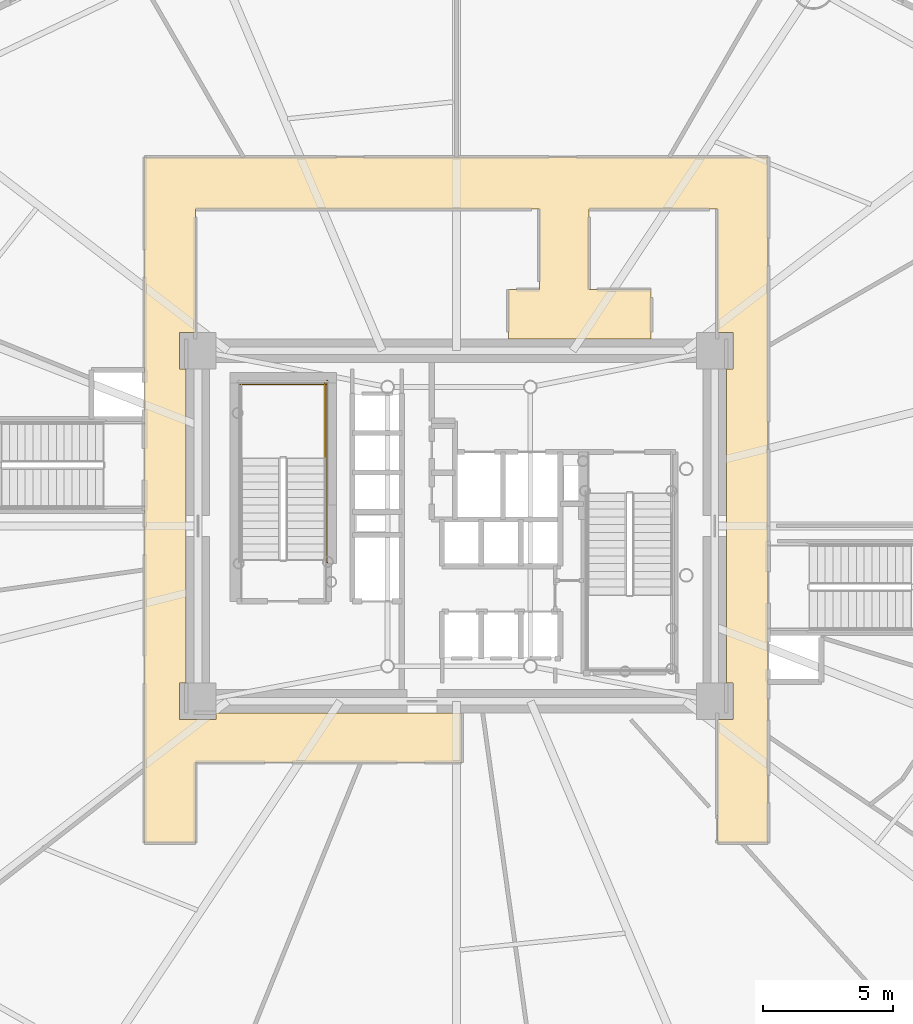
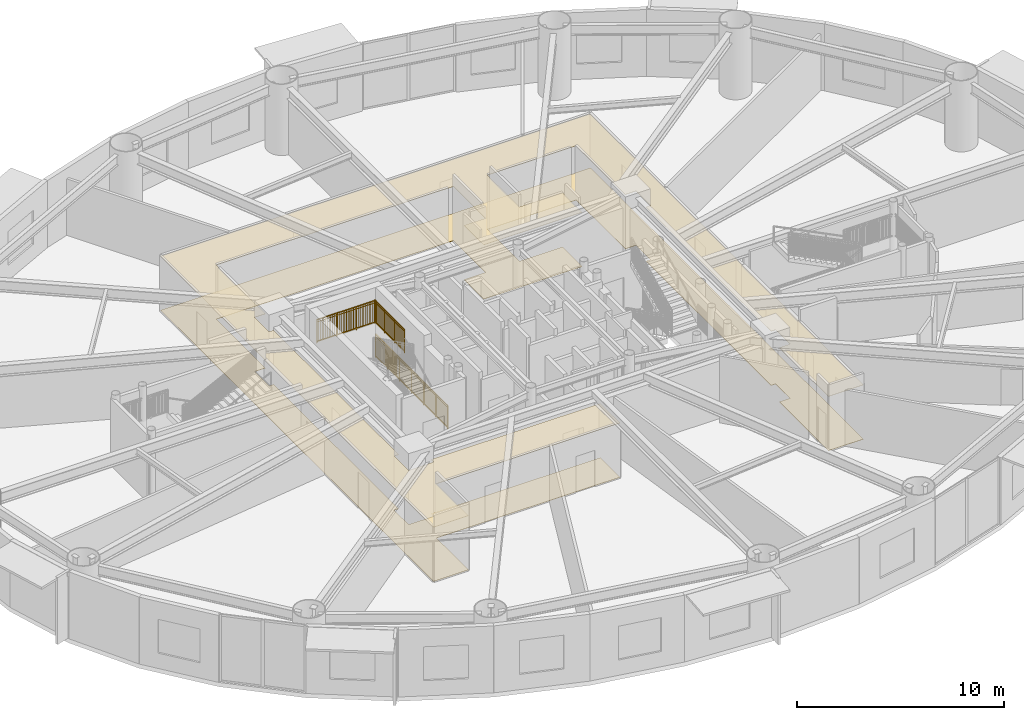
# One storey, part 23 of 29: 3 railings, 2 coverings.
"""IFC4 building model written with IfcOpenShell, lengths in metres."""

from ifc_helpers import new_model, si_unit, direction, frame, origin, origin_2d, place, context, subcontext, project, spatial, polyline, rectangle, outline, extrude, source, transform, mapped, material, layer, layer_set, type_object, element, save


model = new_model("IFC4")

# Units and contexts
model_context = context("Model", 3, precision=1e-05, world=origin(), true_north=direction((0.0, 1.0)))
body_context = subcontext(model_context, "Body", "Model", "MODEL_VIEW")
ifc_project = project(units=[si_unit("LENGTHUNIT", "METRE"), si_unit("AREAUNIT", "SQUARE_METRE"), si_unit("VOLUMEUNIT", "CUBIC_METRE"), si_unit("PLANEANGLEUNIT", "RADIAN"), si_unit("MASSUNIT", "GRAM", prefix="KILO")], contexts=[model_context])

# Site, building, storey
site_placement = place(None, origin())
site = spatial("IfcSite", under=ifc_project, at=site_placement, CompositionType="ELEMENT")
building_placement = place(site_placement, origin())
building = spatial("IfcBuilding", under=site, at=building_placement, Name="Linh Dai School and Residence Tower", CompositionType="ELEMENT")
storey_placement = place(building_placement, frame((0.0, 0.0, 45.0)))
storey = spatial("IfcBuildingStorey", under=building, at=storey_placement, Name="L10", CompositionType="ELEMENT", Elevation=45.0)

# Coverings
ifc_material_1 = material(Name="Mineral Fibre Acoustic Suspended Ceiling", Category="masonry")
ifc_layer_1 = layer(ifc_material_1, 0.02001953125)
ifc_layer_set_1 = layer_set([ifc_layer_1], Name="Mineral Fibre Acoustic Suspended Ceiling")
covering_type_1 = type_object("IfcCoveringType", Name="COV-CEIL-AC-20", PredefinedType="CEILING", material=ifc_layer_set_1)
covering_1_placement = place(storey_placement, frame((0.0, 0.0, 3.199951171875)))
element("IfcCovering", 1, at=covering_1_placement, inside=storey, type_object=covering_type_1, Name="L10 School Circulation Ring Corridor Suspended Ceiling", PredefinedType="CEILING", context=body_context, shape_type="SweptSolid", body=[
    extrude(outline(polyline([(24.0, 41.199951171875), (48.0, 41.199951171875), (48.0, 14.800048828125), (46.050048828125, 14.800048828125), (46.050048828125, 19.550048828125), (46.64990234375, 19.550048828125), (46.64990234375, 20.949951171875), (46.39990234375, 20.949951171875), (46.39990234375, 33.050048828125), (46.64990234375, 33.050048828125), (46.64990234375, 34.449951171875), (46.050048828125, 34.449951171875), (46.050048828125, 39.199951171875), (41.10009765625, 39.199951171875), (41.10009765625, 36.10009765625), (43.5, 36.10009765625), (43.5, 34.199951171875), (38.0, 34.199951171875), (38.0, 36.10009765625), (39.199951171875, 36.10009765625), (39.199951171875, 39.199951171875), (25.949951171875, 39.199951171875), (25.949951171875, 34.449951171875), (25.35009765625, 34.449951171875), (25.35009765625, 33.050048828125), (25.60009765625, 33.050048828125), (25.60009765625, 20.949951171875), (25.35009765625, 20.949951171875), (25.35009765625, 19.550048828125), (26.75, 19.550048828125), (26.75, 19.800048828125), (36.199951171875, 19.800048828125), (36.199951171875, 17.89990234375), (25.949951171875, 17.89990234375), (25.949951171875, 14.800048828125), (24.0, 14.800048828125), (24.0, 41.199951171875)])), origin(), (0.0, 0.0, 1.0), 0.02001953125),
])
ifc_material_2 = material(Name="Polished Terrazzo Floor Finish", Category="masonry")
ifc_layer_2 = layer(ifc_material_2, 0.02490234375)
ifc_layer_set_2 = layer_set([ifc_layer_2], Name="Polished Terrazzo Floor Finish")
covering_type_2 = type_object("IfcCoveringType", Name="COV-FLR-TRZ-25", PredefinedType="FLOORING", material=ifc_layer_set_2)
covering_2_placement = place(storey_placement, origin())
element("IfcCovering", 2, at=covering_2_placement, inside=storey, type_object=covering_type_2, Name="L10 School Circulation Ring Corridor Floor Finish", PredefinedType="FLOORING", context=body_context, shape_type="SweptSolid", body=[
    extrude(outline(polyline([(24.0, 41.199951171875), (48.0, 41.199951171875), (48.0, 14.800048828125), (46.050048828125, 14.800048828125), (46.050048828125, 19.550048828125), (46.64990234375, 19.550048828125), (46.64990234375, 20.949951171875), (46.39990234375, 20.949951171875), (46.39990234375, 33.050048828125), (46.64990234375, 33.050048828125), (46.64990234375, 34.449951171875), (46.050048828125, 34.449951171875), (46.050048828125, 39.199951171875), (41.10009765625, 39.199951171875), (41.10009765625, 36.10009765625), (43.5, 36.10009765625), (43.5, 34.199951171875), (38.0, 34.199951171875), (38.0, 36.10009765625), (39.199951171875, 36.10009765625), (39.199951171875, 39.199951171875), (25.949951171875, 39.199951171875), (25.949951171875, 34.449951171875), (25.35009765625, 34.449951171875), (25.35009765625, 33.050048828125), (25.60009765625, 33.050048828125), (25.60009765625, 20.949951171875), (25.35009765625, 20.949951171875), (25.35009765625, 19.550048828125), (26.75, 19.550048828125), (26.75, 19.800048828125), (36.199951171875, 19.800048828125), (36.199951171875, 17.89990234375), (25.949951171875, 17.89990234375), (25.949951171875, 14.800048828125), (24.0, 14.800048828125), (24.0, 41.199951171875)])), origin(), (0.0, 0.0, 1.0), 0.02001953125),
])

# Railings
ifc_material_3 = material(Name="Structural Steel S355JR", Category="steel")
railing_type = type_object("IfcRailingType", Name="RL-ST-GUARD-1400", PredefinedType="GUARDRAIL", material=ifc_material_3)
shared_shape_1 = source(origin(), body_context, "Body", "SweptSolid", [
    extrude(rectangle(XDim=0.048095703125, YDim=0.048095703125, at=origin_2d()), frame((0.0, 0.0, 1.3759765625), z_axis=(-1.0, 0.0, 0.0), x_axis=(0.0, -1.0, 0.0)), (0.0, 0.0, 1.0), 3.300048828125),
    extrude(rectangle(XDim=0.048095703125, YDim=0.048095703125, at=origin_2d()), frame((0.0, 0.0, 0.10009765625), z_axis=(-1.0, 0.0, 0.0), x_axis=(0.0, -1.0, 0.0)), (0.0, 0.0, 1.0), 3.300048828125),
    extrude(rectangle(XDim=0.030029296875, YDim=0.030029296875, at=origin_2d()), frame((0.0, 0.0, 1.239990234375), z_axis=(-1.0, 0.0, 0.0), x_axis=(0.0, -1.0, 0.0)), (0.0, 0.0, 1.0), 3.300048828125),
    extrude(rectangle(XDim=0.02001953125, YDim=0.02001953125, at=origin_2d()), frame((-0.09716796875, 0.0, 0.10009765625)), (0.0, 0.0, 1.0), 1.251708984375),
    extrude(rectangle(XDim=0.02001953125, YDim=0.02001953125, at=origin_2d()), frame((-0.194091796875, 0.0, 0.10009765625)), (0.0, 0.0, 1.0), 1.251708984375),
    extrude(rectangle(XDim=0.02001953125, YDim=0.02001953125, at=origin_2d()), frame((-0.291259765625, 0.0, 0.10009765625)), (0.0, 0.0, 1.0), 1.251708984375),
    extrude(rectangle(XDim=0.02001953125, YDim=0.02001953125, at=origin_2d()), frame((-0.38818359375, 0.0, 0.10009765625)), (0.0, 0.0, 1.0), 1.251708984375),
    extrude(rectangle(XDim=0.02001953125, YDim=0.02001953125, at=origin_2d()), frame((-0.4853515625, 0.0, 0.10009765625)), (0.0, 0.0, 1.0), 1.251708984375),
    extrude(rectangle(XDim=0.02001953125, YDim=0.02001953125, at=origin_2d()), frame((-0.582275390625, 0.0, 0.10009765625)), (0.0, 0.0, 1.0), 1.251708984375),
    extrude(rectangle(XDim=0.02001953125, YDim=0.02001953125, at=origin_2d()), frame((-0.679443359375, 0.0, 0.10009765625)), (0.0, 0.0, 1.0), 1.251708984375),
    extrude(rectangle(XDim=0.02001953125, YDim=0.02001953125, at=origin_2d()), frame((-0.7763671875, 0.0, 0.10009765625)), (0.0, 0.0, 1.0), 1.251708984375),
    extrude(rectangle(XDim=0.02001953125, YDim=0.02001953125, at=origin_2d()), frame((-0.87353515625, 0.0, 0.10009765625)), (0.0, 0.0, 1.0), 1.251708984375),
    extrude(rectangle(XDim=0.02001953125, YDim=0.02001953125, at=origin_2d()), frame((-0.970703125, 0.0, 0.10009765625)), (0.0, 0.0, 1.0), 1.251708984375),
    extrude(rectangle(XDim=0.02001953125, YDim=0.02001953125, at=origin_2d()), frame((-1.164794921875, 0.0, 0.10009765625)), (0.0, 0.0, 1.0), 1.251708984375),
    extrude(rectangle(XDim=0.02001953125, YDim=0.02001953125, at=origin_2d()), frame((-1.26171875, 0.0, 0.10009765625)), (0.0, 0.0, 1.0), 1.251708984375),
    extrude(rectangle(XDim=0.02001953125, YDim=0.02001953125, at=origin_2d()), frame((-1.35888671875, 0.0, 0.10009765625)), (0.0, 0.0, 1.0), 1.251708984375),
    extrude(rectangle(XDim=0.02001953125, YDim=0.02001953125, at=origin_2d()), frame((-1.455810546875, 0.0, 0.10009765625)), (0.0, 0.0, 1.0), 1.251708984375),
    extrude(rectangle(XDim=0.02001953125, YDim=0.02001953125, at=origin_2d()), frame((-1.552978515625, 0.0, 0.10009765625)), (0.0, 0.0, 1.0), 1.251708984375),
    extrude(rectangle(XDim=0.02001953125, YDim=0.02001953125, at=origin_2d()), frame((-1.64990234375, 0.0, 0.10009765625)), (0.0, 0.0, 1.0), 1.251708984375),
    extrude(rectangle(XDim=0.02001953125, YDim=0.02001953125, at=origin_2d()), frame((-1.7470703125, 0.0, 0.10009765625)), (0.0, 0.0, 1.0), 1.251708984375),
    extrude(rectangle(XDim=0.02001953125, YDim=0.02001953125, at=origin_2d()), frame((-1.84423828125, 0.0, 0.10009765625)), (0.0, 0.0, 1.0), 1.251708984375),
    extrude(rectangle(XDim=0.02001953125, YDim=0.02001953125, at=origin_2d()), frame((-1.941162109375, 0.0, 0.10009765625)), (0.0, 0.0, 1.0), 1.251708984375),
    extrude(rectangle(XDim=0.02001953125, YDim=0.02001953125, at=origin_2d()), frame((-2.038330078125, 0.0, 0.10009765625)), (0.0, 0.0, 1.0), 1.251708984375),
    extrude(rectangle(XDim=0.02001953125, YDim=0.02001953125, at=origin_2d()), frame((-2.13525390625, 0.0, 0.10009765625)), (0.0, 0.0, 1.0), 1.251708984375),
    extrude(rectangle(XDim=0.02001953125, YDim=0.02001953125, at=origin_2d()), frame((-2.329345703125, 0.0, 0.10009765625)), (0.0, 0.0, 1.0), 1.251708984375),
    extrude(rectangle(XDim=0.02001953125, YDim=0.02001953125, at=origin_2d()), frame((-2.426513671875, 0.0, 0.10009765625)), (0.0, 0.0, 1.0), 1.251708984375),
    extrude(rectangle(XDim=0.02001953125, YDim=0.02001953125, at=origin_2d()), frame((-2.523681640625, 0.0, 0.10009765625)), (0.0, 0.0, 1.0), 1.251708984375),
    extrude(rectangle(XDim=0.02001953125, YDim=0.02001953125, at=origin_2d()), frame((-2.62060546875, 0.0, 0.10009765625)), (0.0, 0.0, 1.0), 1.251708984375),
    extrude(rectangle(XDim=0.02001953125, YDim=0.02001953125, at=origin_2d()), frame((-2.7177734375, 0.0, 0.10009765625)), (0.0, 0.0, 1.0), 1.251708984375),
    extrude(rectangle(XDim=0.02001953125, YDim=0.02001953125, at=origin_2d()), frame((-2.814697265625, 0.0, 0.10009765625)), (0.0, 0.0, 1.0), 1.251708984375),
    extrude(rectangle(XDim=0.02001953125, YDim=0.02001953125, at=origin_2d()), frame((-2.911865234375, 0.0, 0.10009765625)), (0.0, 0.0, 1.0), 1.251708984375),
    extrude(rectangle(XDim=0.02001953125, YDim=0.02001953125, at=origin_2d()), frame((-3.0087890625, 0.0, 0.10009765625)), (0.0, 0.0, 1.0), 1.251708984375),
    extrude(rectangle(XDim=0.02001953125, YDim=0.02001953125, at=origin_2d()), frame((-3.10595703125, 0.0, 0.10009765625)), (0.0, 0.0, 1.0), 1.251708984375),
    extrude(rectangle(XDim=0.02001953125, YDim=0.02001953125, at=origin_2d()), frame((-3.202880859375, 0.0, 0.10009765625)), (0.0, 0.0, 1.0), 1.251708984375),
    extrude(rectangle(XDim=0.0419921875, YDim=0.0419921875, at=origin_2d()), origin(), (0.0, 0.0, 1.0), 1.3759765625),
    extrude(rectangle(XDim=0.0419921875, YDim=0.0419921875, at=origin_2d()), frame((-1.10009765625, 0.0, 0.0)), (0.0, 0.0, 1.0), 1.3759765625),
    extrude(rectangle(XDim=0.0419921875, YDim=0.0419921875, at=origin_2d()), frame((-2.199951171875, 0.0, 0.0)), (0.0, 0.0, 1.0), 1.3759765625),
    extrude(rectangle(XDim=0.0419921875, YDim=0.0419921875, at=origin_2d()), frame((-3.300048828125, 0.0, 0.0)), (0.0, 0.0, 1.0), 1.3759765625),
])
railing_1_placement = place(storey_placement, frame((30.97998046875, 32.449951171875, 2.10009765625)))
element("IfcRailing", 3, at=railing_1_placement, inside=storey, type_object=railing_type, Name="L10 ST1 stair guard 5", PredefinedType="GUARDRAIL", context=body_context, shape_type="MappedRepresentation", body=[
    mapped(shared_shape_1, transform((0.0, 0.0, 0.0), x_axis=(1.0, 0.0, 0.0), y_axis=(0.0, 1.0, 0.0), z_axis=(0.0, 0.0, 1.0), scale=1.0)),
])
shared_shape_2 = source(origin(), body_context, "Body", "SweptSolid", [
    extrude(rectangle(XDim=0.048095703125, YDim=0.048095703125, at=origin_2d()), frame((0.0, 0.0, 1.3759765625), z_axis=(0.0, 1.0, 0.0), x_axis=(-1.0, 0.0, 0.0)), (0.0, 0.0, 1.0), 7.0),
    extrude(rectangle(XDim=0.048095703125, YDim=0.048095703125, at=origin_2d()), frame((0.0, 0.0, 0.10009765625), z_axis=(0.0, 1.0, 0.0), x_axis=(-1.0, 0.0, 0.0)), (0.0, 0.0, 1.0), 7.0),
    extrude(rectangle(XDim=0.030029296875, YDim=0.030029296875, at=origin_2d()), frame((0.0, 0.0, 1.239990234375), z_axis=(0.0, 1.0, 0.0), x_axis=(-1.0, 0.0, 0.0)), (0.0, 0.0, 1.0), 7.0),
    extrude(rectangle(XDim=0.02001953125, YDim=0.02001953125, at=origin_2d()), frame((0.0, 0.09716796875, 0.10009765625)), (0.0, 0.0, 1.0), 1.251708984375),
    extrude(rectangle(XDim=0.02001953125, YDim=0.02001953125, at=origin_2d()), frame((0.0, 0.1943359375, 0.10009765625)), (0.0, 0.0, 1.0), 1.251708984375),
    extrude(rectangle(XDim=0.02001953125, YDim=0.02001953125, at=origin_2d()), frame((0.0, 0.291748046875, 0.10009765625)), (0.0, 0.0, 1.0), 1.251708984375),
    extrude(rectangle(XDim=0.02001953125, YDim=0.02001953125, at=origin_2d()), frame((0.0, 0.388916015625, 0.10009765625)), (0.0, 0.0, 1.0), 1.251708984375),
    extrude(rectangle(XDim=0.02001953125, YDim=0.02001953125, at=origin_2d()), frame((0.0, 0.486083984375, 0.10009765625)), (0.0, 0.0, 1.0), 1.251708984375),
    extrude(rectangle(XDim=0.02001953125, YDim=0.02001953125, at=origin_2d()), frame((0.0, 0.583251953125, 0.10009765625)), (0.0, 0.0, 1.0), 1.251708984375),
    extrude(rectangle(XDim=0.02001953125, YDim=0.02001953125, at=origin_2d()), frame((0.0, 0.6806640625, 0.10009765625)), (0.0, 0.0, 1.0), 1.251708984375),
    extrude(rectangle(XDim=0.02001953125, YDim=0.02001953125, at=origin_2d()), frame((0.0, 0.77783203125, 0.10009765625)), (0.0, 0.0, 1.0), 1.251708984375),
    extrude(rectangle(XDim=0.02001953125, YDim=0.02001953125, at=origin_2d()), frame((0.0, 0.875, 0.10009765625)), (0.0, 0.0, 1.0), 1.251708984375),
    extrude(rectangle(XDim=0.02001953125, YDim=0.02001953125, at=origin_2d()), frame((0.0, 0.97216796875, 0.10009765625)), (0.0, 0.0, 1.0), 1.251708984375),
    extrude(rectangle(XDim=0.02001953125, YDim=0.02001953125, at=origin_2d()), frame((0.0, 1.0693359375, 0.10009765625)), (0.0, 0.0, 1.0), 1.251708984375),
    extrude(rectangle(XDim=0.02001953125, YDim=0.02001953125, at=origin_2d()), frame((0.0, 1.263916015625, 0.10009765625)), (0.0, 0.0, 1.0), 1.251708984375),
    extrude(rectangle(XDim=0.02001953125, YDim=0.02001953125, at=origin_2d()), frame((0.0, 1.361083984375, 0.10009765625)), (0.0, 0.0, 1.0), 1.251708984375),
    extrude(rectangle(XDim=0.02001953125, YDim=0.02001953125, at=origin_2d()), frame((0.0, 1.458251953125, 0.10009765625)), (0.0, 0.0, 1.0), 1.251708984375),
    extrude(rectangle(XDim=0.02001953125, YDim=0.02001953125, at=origin_2d()), frame((0.0, 1.5556640625, 0.10009765625)), (0.0, 0.0, 1.0), 1.251708984375),
    extrude(rectangle(XDim=0.02001953125, YDim=0.02001953125, at=origin_2d()), frame((0.0, 1.65283203125, 0.10009765625)), (0.0, 0.0, 1.0), 1.251708984375),
    extrude(rectangle(XDim=0.02001953125, YDim=0.02001953125, at=origin_2d()), frame((0.0, 1.75, 0.10009765625)), (0.0, 0.0, 1.0), 1.251708984375),
    extrude(rectangle(XDim=0.02001953125, YDim=0.02001953125, at=origin_2d()), frame((0.0, 1.84716796875, 0.10009765625)), (0.0, 0.0, 1.0), 1.251708984375),
    extrude(rectangle(XDim=0.02001953125, YDim=0.02001953125, at=origin_2d()), frame((0.0, 1.9443359375, 0.10009765625)), (0.0, 0.0, 1.0), 1.251708984375),
    extrude(rectangle(XDim=0.02001953125, YDim=0.02001953125, at=origin_2d()), frame((0.0, 2.041748046875, 0.10009765625)), (0.0, 0.0, 1.0), 1.251708984375),
    extrude(rectangle(XDim=0.02001953125, YDim=0.02001953125, at=origin_2d()), frame((0.0, 2.138916015625, 0.10009765625)), (0.0, 0.0, 1.0), 1.251708984375),
    extrude(rectangle(XDim=0.02001953125, YDim=0.02001953125, at=origin_2d()), frame((0.0, 2.236083984375, 0.10009765625)), (0.0, 0.0, 1.0), 1.251708984375),
    extrude(rectangle(XDim=0.02001953125, YDim=0.02001953125, at=origin_2d()), frame((0.0, 2.4306640625, 0.10009765625)), (0.0, 0.0, 1.0), 1.251708984375),
    extrude(rectangle(XDim=0.02001953125, YDim=0.02001953125, at=origin_2d()), frame((0.0, 2.52783203125, 0.10009765625)), (0.0, 0.0, 1.0), 1.251708984375),
    extrude(rectangle(XDim=0.02001953125, YDim=0.02001953125, at=origin_2d()), frame((0.0, 2.625, 0.10009765625)), (0.0, 0.0, 1.0), 1.251708984375),
    extrude(rectangle(XDim=0.02001953125, YDim=0.02001953125, at=origin_2d()), frame((0.0, 2.72216796875, 0.10009765625)), (0.0, 0.0, 1.0), 1.251708984375),
    extrude(rectangle(XDim=0.02001953125, YDim=0.02001953125, at=origin_2d()), frame((0.0, 2.8193359375, 0.10009765625)), (0.0, 0.0, 1.0), 1.251708984375),
    extrude(rectangle(XDim=0.02001953125, YDim=0.02001953125, at=origin_2d()), frame((0.0, 2.916748046875, 0.10009765625)), (0.0, 0.0, 1.0), 1.251708984375),
    extrude(rectangle(XDim=0.02001953125, YDim=0.02001953125, at=origin_2d()), frame((0.0, 3.013916015625, 0.10009765625)), (0.0, 0.0, 1.0), 1.251708984375),
    extrude(rectangle(XDim=0.02001953125, YDim=0.02001953125, at=origin_2d()), frame((0.0, 3.111083984375, 0.10009765625)), (0.0, 0.0, 1.0), 1.251708984375),
    extrude(rectangle(XDim=0.02001953125, YDim=0.02001953125, at=origin_2d()), frame((0.0, 3.208251953125, 0.10009765625)), (0.0, 0.0, 1.0), 1.251708984375),
    extrude(rectangle(XDim=0.02001953125, YDim=0.02001953125, at=origin_2d()), frame((0.0, 3.3056640625, 0.10009765625)), (0.0, 0.0, 1.0), 1.251708984375),
    extrude(rectangle(XDim=0.02001953125, YDim=0.02001953125, at=origin_2d()), frame((0.0, 3.40283203125, 0.10009765625)), (0.0, 0.0, 1.0), 1.251708984375),
    extrude(rectangle(XDim=0.02001953125, YDim=0.02001953125, at=origin_2d()), frame((0.0, 3.59716796875, 0.10009765625)), (0.0, 0.0, 1.0), 1.251708984375),
    extrude(rectangle(XDim=0.02001953125, YDim=0.02001953125, at=origin_2d()), frame((0.0, 3.6943359375, 0.10009765625)), (0.0, 0.0, 1.0), 1.251708984375),
    extrude(rectangle(XDim=0.02001953125, YDim=0.02001953125, at=origin_2d()), frame((0.0, 3.791748046875, 0.10009765625)), (0.0, 0.0, 1.0), 1.251708984375),
    extrude(rectangle(XDim=0.02001953125, YDim=0.02001953125, at=origin_2d()), frame((0.0, 3.888916015625, 0.10009765625)), (0.0, 0.0, 1.0), 1.251708984375),
    extrude(rectangle(XDim=0.02001953125, YDim=0.02001953125, at=origin_2d()), frame((0.0, 3.986083984375, 0.10009765625)), (0.0, 0.0, 1.0), 1.251708984375),
    extrude(rectangle(XDim=0.02001953125, YDim=0.02001953125, at=origin_2d()), frame((0.0, 4.083251953125, 0.10009765625)), (0.0, 0.0, 1.0), 1.251708984375),
    extrude(rectangle(XDim=0.02001953125, YDim=0.02001953125, at=origin_2d()), frame((0.0, 4.1806640625, 0.10009765625)), (0.0, 0.0, 1.0), 1.251708984375),
    extrude(rectangle(XDim=0.02001953125, YDim=0.02001953125, at=origin_2d()), frame((0.0, 4.27783203125, 0.10009765625)), (0.0, 0.0, 1.0), 1.251708984375),
    extrude(rectangle(XDim=0.02001953125, YDim=0.02001953125, at=origin_2d()), frame((0.0, 4.375, 0.10009765625)), (0.0, 0.0, 1.0), 1.251708984375),
    extrude(rectangle(XDim=0.02001953125, YDim=0.02001953125, at=origin_2d()), frame((0.0, 4.47216796875, 0.10009765625)), (0.0, 0.0, 1.0), 1.251708984375),
    extrude(rectangle(XDim=0.02001953125, YDim=0.02001953125, at=origin_2d()), frame((0.0, 4.5693359375, 0.10009765625)), (0.0, 0.0, 1.0), 1.251708984375),
    extrude(rectangle(XDim=0.02001953125, YDim=0.02001953125, at=origin_2d()), frame((0.0, 4.763916015625, 0.10009765625)), (0.0, 0.0, 1.0), 1.251708984375),
    extrude(rectangle(XDim=0.02001953125, YDim=0.02001953125, at=origin_2d()), frame((0.0, 4.861083984375, 0.10009765625)), (0.0, 0.0, 1.0), 1.251708984375),
    extrude(rectangle(XDim=0.02001953125, YDim=0.02001953125, at=origin_2d()), frame((0.0, 4.958251953125, 0.10009765625)), (0.0, 0.0, 1.0), 1.251708984375),
    extrude(rectangle(XDim=0.02001953125, YDim=0.02001953125, at=origin_2d()), frame((0.0, 5.0556640625, 0.10009765625)), (0.0, 0.0, 1.0), 1.251708984375),
    extrude(rectangle(XDim=0.02001953125, YDim=0.02001953125, at=origin_2d()), frame((0.0, 5.15283203125, 0.10009765625)), (0.0, 0.0, 1.0), 1.251708984375),
    extrude(rectangle(XDim=0.02001953125, YDim=0.02001953125, at=origin_2d()), frame((0.0, 5.25, 0.10009765625)), (0.0, 0.0, 1.0), 1.251708984375),
    extrude(rectangle(XDim=0.02001953125, YDim=0.02001953125, at=origin_2d()), frame((0.0, 5.34716796875, 0.10009765625)), (0.0, 0.0, 1.0), 1.251708984375),
    extrude(rectangle(XDim=0.02001953125, YDim=0.02001953125, at=origin_2d()), frame((0.0, 5.4443359375, 0.10009765625)), (0.0, 0.0, 1.0), 1.251708984375),
    extrude(rectangle(XDim=0.02001953125, YDim=0.02001953125, at=origin_2d()), frame((0.0, 5.541748046875, 0.10009765625)), (0.0, 0.0, 1.0), 1.251708984375),
    extrude(rectangle(XDim=0.02001953125, YDim=0.02001953125, at=origin_2d()), frame((0.0, 5.638916015625, 0.10009765625)), (0.0, 0.0, 1.0), 1.251708984375),
    extrude(rectangle(XDim=0.02001953125, YDim=0.02001953125, at=origin_2d()), frame((0.0, 5.736083984375, 0.10009765625)), (0.0, 0.0, 1.0), 1.251708984375),
    extrude(rectangle(XDim=0.02001953125, YDim=0.02001953125, at=origin_2d()), frame((0.0, 5.9306640625, 0.10009765625)), (0.0, 0.0, 1.0), 1.251708984375),
    extrude(rectangle(XDim=0.02001953125, YDim=0.02001953125, at=origin_2d()), frame((0.0, 6.02783203125, 0.10009765625)), (0.0, 0.0, 1.0), 1.251708984375),
    extrude(rectangle(XDim=0.02001953125, YDim=0.02001953125, at=origin_2d()), frame((0.0, 6.125, 0.10009765625)), (0.0, 0.0, 1.0), 1.251708984375),
    extrude(rectangle(XDim=0.02001953125, YDim=0.02001953125, at=origin_2d()), frame((0.0, 6.22216796875, 0.10009765625)), (0.0, 0.0, 1.0), 1.251708984375),
    extrude(rectangle(XDim=0.02001953125, YDim=0.02001953125, at=origin_2d()), frame((0.0, 6.3193359375, 0.10009765625)), (0.0, 0.0, 1.0), 1.251708984375),
    extrude(rectangle(XDim=0.02001953125, YDim=0.02001953125, at=origin_2d()), frame((0.0, 6.416748046875, 0.10009765625)), (0.0, 0.0, 1.0), 1.251708984375),
    extrude(rectangle(XDim=0.02001953125, YDim=0.02001953125, at=origin_2d()), frame((0.0, 6.513916015625, 0.10009765625)), (0.0, 0.0, 1.0), 1.251708984375),
    extrude(rectangle(XDim=0.02001953125, YDim=0.02001953125, at=origin_2d()), frame((0.0, 6.611083984375, 0.10009765625)), (0.0, 0.0, 1.0), 1.251708984375),
    extrude(rectangle(XDim=0.02001953125, YDim=0.02001953125, at=origin_2d()), frame((0.0, 6.708251953125, 0.10009765625)), (0.0, 0.0, 1.0), 1.251708984375),
    extrude(rectangle(XDim=0.02001953125, YDim=0.02001953125, at=origin_2d()), frame((0.0, 6.8056640625, 0.10009765625)), (0.0, 0.0, 1.0), 1.251708984375),
    extrude(rectangle(XDim=0.02001953125, YDim=0.02001953125, at=origin_2d()), frame((0.0, 6.90283203125, 0.10009765625)), (0.0, 0.0, 1.0), 1.251708984375),
    extrude(rectangle(XDim=0.0419921875, YDim=0.0419921875, at=origin_2d()), origin(), (0.0, 0.0, 1.0), 1.3759765625),
    extrude(rectangle(XDim=0.0419921875, YDim=0.0419921875, at=origin_2d()), frame((0.0, 1.166748046875, 0.0)), (0.0, 0.0, 1.0), 1.3759765625),
    extrude(rectangle(XDim=0.0419921875, YDim=0.0419921875, at=origin_2d()), frame((0.0, 2.333251953125, 0.0)), (0.0, 0.0, 1.0), 1.3759765625),
    extrude(rectangle(XDim=0.0419921875, YDim=0.0419921875, at=origin_2d()), frame((0.0, 3.5, 0.0)), (0.0, 0.0, 1.0), 1.3759765625),
    extrude(rectangle(XDim=0.0419921875, YDim=0.0419921875, at=origin_2d()), frame((0.0, 4.666748046875, 0.0)), (0.0, 0.0, 1.0), 1.3759765625),
    extrude(rectangle(XDim=0.0419921875, YDim=0.0419921875, at=origin_2d()), frame((0.0, 5.833251953125, 0.0)), (0.0, 0.0, 1.0), 1.3759765625),
    extrude(rectangle(XDim=0.0419921875, YDim=0.0419921875, at=origin_2d()), frame((0.0, 7.0, 0.0)), (0.0, 0.0, 1.0), 1.3759765625),
])
railing_2_placement = place(storey_placement, frame((31.030029296875, 25.60009765625, 0.0)))
element("IfcRailing", 4, at=railing_2_placement, inside=storey, type_object=railing_type, Name="L10 ST1 stair guard 10", PredefinedType="GUARDRAIL", context=body_context, shape_type="MappedRepresentation", body=[
    mapped(shared_shape_2, transform((0.0, 0.0, 0.0), x_axis=(1.0, 0.0, 0.0), y_axis=(0.0, 1.0, 0.0), z_axis=(0.0, 0.0, 1.0), scale=1.0)),
])
shared_shape_3 = source(origin(), body_context, "Body", "SweptSolid", [
    extrude(rectangle(XDim=0.048095703125, YDim=0.048095703125, at=origin_2d()), frame((0.0, 0.0, 1.3759765625), z_axis=(0.0, 1.0, 0.0), x_axis=(-1.0, 0.0, 0.0)), (0.0, 0.0, 1.0), 2.89990234375),
    extrude(rectangle(XDim=0.048095703125, YDim=0.048095703125, at=origin_2d()), frame((0.0, 0.0, 0.10009765625), z_axis=(0.0, 1.0, 0.0), x_axis=(-1.0, 0.0, 0.0)), (0.0, 0.0, 1.0), 2.89990234375),
    extrude(rectangle(XDim=0.030029296875, YDim=0.030029296875, at=origin_2d()), frame((0.0, 0.0, 1.239990234375), z_axis=(0.0, 1.0, 0.0), x_axis=(-1.0, 0.0, 0.0)), (0.0, 0.0, 1.0), 2.89990234375),
    extrude(rectangle(XDim=0.02001953125, YDim=0.02001953125, at=origin_2d()), frame((0.0, 0.0966796875, 0.10009765625)), (0.0, 0.0, 1.0), 1.251708984375),
    extrude(rectangle(XDim=0.02001953125, YDim=0.02001953125, at=origin_2d()), frame((0.0, 0.193359375, 0.10009765625)), (0.0, 0.0, 1.0), 1.251708984375),
    extrude(rectangle(XDim=0.02001953125, YDim=0.02001953125, at=origin_2d()), frame((0.0, 0.2900390625, 0.10009765625)), (0.0, 0.0, 1.0), 1.251708984375),
    extrude(rectangle(XDim=0.02001953125, YDim=0.02001953125, at=origin_2d()), frame((0.0, 0.38671875, 0.10009765625)), (0.0, 0.0, 1.0), 1.251708984375),
    extrude(rectangle(XDim=0.02001953125, YDim=0.02001953125, at=origin_2d()), frame((0.0, 0.4833984375, 0.10009765625)), (0.0, 0.0, 1.0), 1.251708984375),
    extrude(rectangle(XDim=0.02001953125, YDim=0.02001953125, at=origin_2d()), frame((0.0, 0.580078125, 0.10009765625)), (0.0, 0.0, 1.0), 1.251708984375),
    extrude(rectangle(XDim=0.02001953125, YDim=0.02001953125, at=origin_2d()), frame((0.0, 0.6767578125, 0.10009765625)), (0.0, 0.0, 1.0), 1.251708984375),
    extrude(rectangle(XDim=0.02001953125, YDim=0.02001953125, at=origin_2d()), frame((0.0, 0.773193359375, 0.10009765625)), (0.0, 0.0, 1.0), 1.251708984375),
    extrude(rectangle(XDim=0.02001953125, YDim=0.02001953125, at=origin_2d()), frame((0.0, 0.869873046875, 0.10009765625)), (0.0, 0.0, 1.0), 1.251708984375),
    extrude(rectangle(XDim=0.02001953125, YDim=0.02001953125, at=origin_2d()), frame((0.0, 1.063232421875, 0.10009765625)), (0.0, 0.0, 1.0), 1.251708984375),
    extrude(rectangle(XDim=0.02001953125, YDim=0.02001953125, at=origin_2d()), frame((0.0, 1.159912109375, 0.10009765625)), (0.0, 0.0, 1.0), 1.251708984375),
    extrude(rectangle(XDim=0.02001953125, YDim=0.02001953125, at=origin_2d()), frame((0.0, 1.256591796875, 0.10009765625)), (0.0, 0.0, 1.0), 1.251708984375),
    extrude(rectangle(XDim=0.02001953125, YDim=0.02001953125, at=origin_2d()), frame((0.0, 1.353271484375, 0.10009765625)), (0.0, 0.0, 1.0), 1.251708984375),
    extrude(rectangle(XDim=0.02001953125, YDim=0.02001953125, at=origin_2d()), frame((0.0, 1.449951171875, 0.10009765625)), (0.0, 0.0, 1.0), 1.251708984375),
    extrude(rectangle(XDim=0.02001953125, YDim=0.02001953125, at=origin_2d()), frame((0.0, 1.546630859375, 0.10009765625)), (0.0, 0.0, 1.0), 1.251708984375),
    extrude(rectangle(XDim=0.02001953125, YDim=0.02001953125, at=origin_2d()), frame((0.0, 1.643310546875, 0.10009765625)), (0.0, 0.0, 1.0), 1.251708984375),
    extrude(rectangle(XDim=0.02001953125, YDim=0.02001953125, at=origin_2d()), frame((0.0, 1.739990234375, 0.10009765625)), (0.0, 0.0, 1.0), 1.251708984375),
    extrude(rectangle(XDim=0.02001953125, YDim=0.02001953125, at=origin_2d()), frame((0.0, 1.836669921875, 0.10009765625)), (0.0, 0.0, 1.0), 1.251708984375),
    extrude(rectangle(XDim=0.02001953125, YDim=0.02001953125, at=origin_2d()), frame((0.0, 2.030029296875, 0.10009765625)), (0.0, 0.0, 1.0), 1.251708984375),
    extrude(rectangle(XDim=0.02001953125, YDim=0.02001953125, at=origin_2d()), frame((0.0, 2.126708984375, 0.10009765625)), (0.0, 0.0, 1.0), 1.251708984375),
    extrude(rectangle(XDim=0.02001953125, YDim=0.02001953125, at=origin_2d()), frame((0.0, 2.22314453125, 0.10009765625)), (0.0, 0.0, 1.0), 1.251708984375),
    extrude(rectangle(XDim=0.02001953125, YDim=0.02001953125, at=origin_2d()), frame((0.0, 2.31982421875, 0.10009765625)), (0.0, 0.0, 1.0), 1.251708984375),
    extrude(rectangle(XDim=0.02001953125, YDim=0.02001953125, at=origin_2d()), frame((0.0, 2.41650390625, 0.10009765625)), (0.0, 0.0, 1.0), 1.251708984375),
    extrude(rectangle(XDim=0.02001953125, YDim=0.02001953125, at=origin_2d()), frame((0.0, 2.51318359375, 0.10009765625)), (0.0, 0.0, 1.0), 1.251708984375),
    extrude(rectangle(XDim=0.02001953125, YDim=0.02001953125, at=origin_2d()), frame((0.0, 2.60986328125, 0.10009765625)), (0.0, 0.0, 1.0), 1.251708984375),
    extrude(rectangle(XDim=0.02001953125, YDim=0.02001953125, at=origin_2d()), frame((0.0, 2.70654296875, 0.10009765625)), (0.0, 0.0, 1.0), 1.251708984375),
    extrude(rectangle(XDim=0.02001953125, YDim=0.02001953125, at=origin_2d()), frame((0.0, 2.80322265625, 0.10009765625)), (0.0, 0.0, 1.0), 1.251708984375),
    extrude(rectangle(XDim=0.0419921875, YDim=0.0419921875, at=origin_2d()), origin(), (0.0, 0.0, 1.0), 1.3759765625),
    extrude(rectangle(XDim=0.0419921875, YDim=0.0419921875, at=origin_2d()), frame((0.0, 0.966552734375, 0.0)), (0.0, 0.0, 1.0), 1.3759765625),
    extrude(rectangle(XDim=0.0419921875, YDim=0.0419921875, at=origin_2d()), frame((0.0, 1.933349609375, 0.0)), (0.0, 0.0, 1.0), 1.3759765625),
    extrude(rectangle(XDim=0.0419921875, YDim=0.0419921875, at=origin_2d()), frame((0.0, 2.89990234375, 0.0)), (0.0, 0.0, 1.0), 1.3759765625),
])
railing_3_placement = place(storey_placement, frame((30.929931640625, 29.60009765625, 2.10009765625)))
element("IfcRailing", 5, at=railing_3_placement, inside=storey, type_object=railing_type, Name="L10 ST1 stair guard 3", PredefinedType="GUARDRAIL", context=body_context, shape_type="MappedRepresentation", body=[
    mapped(shared_shape_3, transform((0.0, 0.0, 0.0), x_axis=(1.0, 0.0, 0.0), y_axis=(0.0, 1.0, 0.0), z_axis=(0.0, 0.0, 1.0), scale=1.0)),
])

save(model, "model.ifc")
